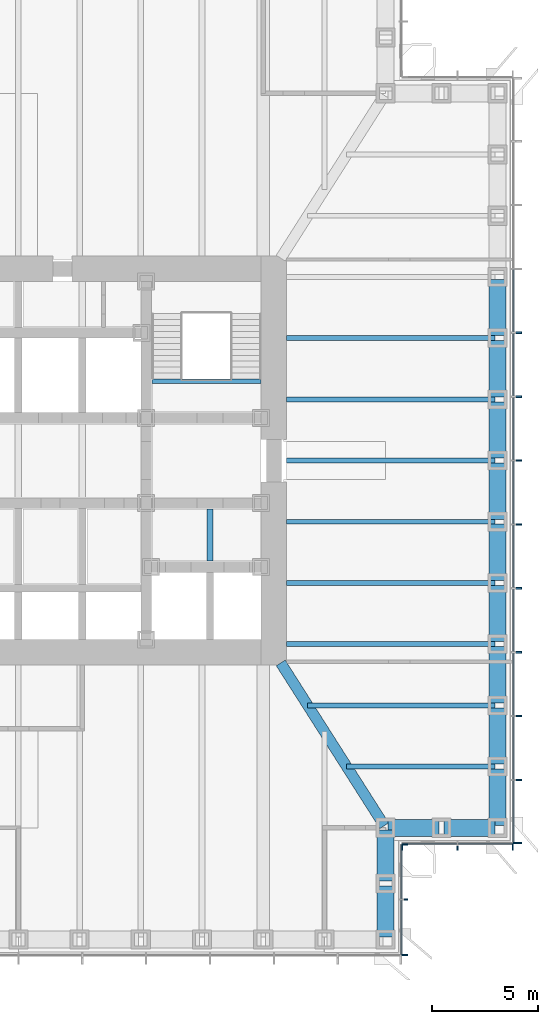
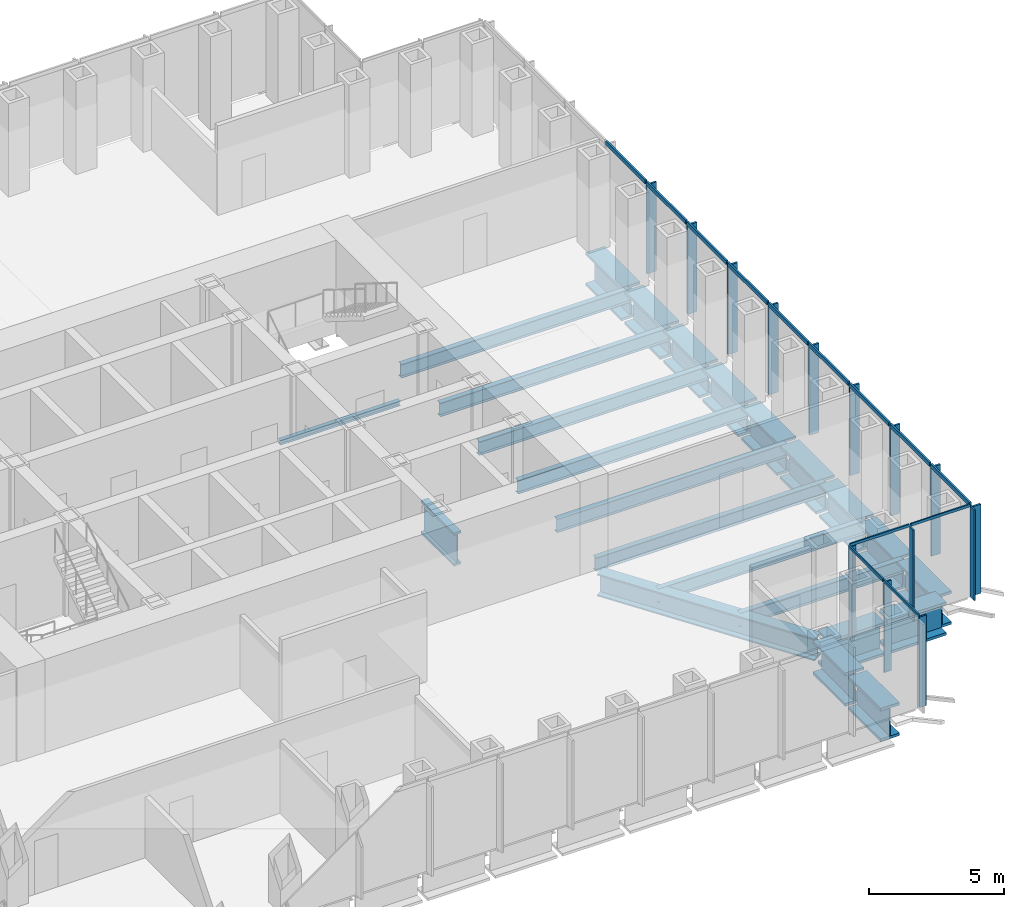
# One storey, part 4 of 17: 28 members, 24 beams, 3 elements without a shape of their own.
"""IFC4 building model written with IfcOpenShell, lengths in metres."""

import ifcopenshell
import ifcopenshell.guid

model = None  # the IFC model being written
_history = None  # IfcOwnerHistory: only IFC2X3 demands one
_inside = {}  # id of a spatial element -> (the spatial element, [elements in it])
_under = {}  # id of a project, library or spatial element -> (it, [spatial elements below it])
_declared = {}  # id of a project -> (the project, [libraries it declares])
_typed = {}  # id of a type object -> (the type object, [elements of that type])
_made_of = {}  # id of a material, layer set ... -> (it, [elements and type objects made of it])


def new_model(schema):
    """Start an empty IFC model of exactly this schema.

    Asked for "IFC4X3", IfcOpenShell would pick the latest addendum, in which some entities
    have other attributes; the version numbers below select the first issue.
    IFC2X3 requires an IfcOwnerHistory on every rooted entity: one is made here for all.
    """
    global model, _history
    if schema == "IFC4X3":
        model = ifcopenshell.file(schema_version=(4, 3, 0, 0))
    else:
        model = ifcopenshell.file(schema=schema)
    _inside.clear()
    _under.clear()
    _declared.clear()
    _typed.clear()
    _made_of.clear()
    _history = None
    if model.schema == "IFC2X3":
        org = make("IfcOrganization", Name="unknown")
        user = make(
            "IfcPersonAndOrganization",
            ThePerson=make("IfcPerson", FamilyName="unknown"),
            TheOrganization=org,
        )
        app = make(
            "IfcApplication",
            ApplicationDeveloper=org,
            Version="unknown",
            ApplicationFullName="unknown",
            ApplicationIdentifier="unknown",
        )
        _history = make(
            "IfcOwnerHistory",
            OwningUser=user,
            OwningApplication=app,
            ChangeAction="ADDED",
            CreationDate=0,
        )
    return model


def make(cls, **values):
    """One entity of the class cls with the attributes given. An attribute that is None is left unset."""
    return model.create_entity(
        cls, **{name: value for name, value in values.items() if value is not None}
    )


def rooted(cls, **values):
    """An entity with a GlobalId (a new one), such as an element, a storey or a relation."""
    return make(cls, GlobalId=ifcopenshell.guid.new(), OwnerHistory=_history, **values)


def si_unit(unit_type, name, prefix=None):
    """IfcSIUnit, for example si_unit("LENGTHUNIT", "METRE", prefix="MILLI")."""
    return make("IfcSIUnit", UnitType=unit_type, Prefix=prefix, Name=name)


def assignment(units):
    """IfcUnitAssignment: the units of a project."""
    return None if units is None else make("IfcUnitAssignment", Units=units)


def point(xyz):
    """IfcCartesianPoint."""
    return None if xyz is None else make("IfcCartesianPoint", Coordinates=xyz)


def direction(xyz):
    """IfcDirection."""
    return None if xyz is None else make("IfcDirection", DirectionRatios=xyz)


def frame(location, z_axis=None, x_axis=None):
    """IfcAxis2Placement3D, a coordinate frame: its origin and axes. An axis left out is left unset."""
    return make(
        "IfcAxis2Placement3D",
        Location=point(location),
        Axis=direction(z_axis),
        RefDirection=direction(x_axis),
    )


def frame_2d(location, x_axis=None):
    """IfcAxis2Placement2D, a coordinate frame in the plane: its origin and x axis."""
    return make(
        "IfcAxis2Placement2D", Location=point(location), RefDirection=direction(x_axis)
    )


def origin():
    """The frame at (0, 0, 0) with its axes left unset."""
    return frame((0.0, 0.0, 0.0))


def origin_2d():
    """The frame at (0, 0) in the plane with its x axis left unset."""
    return frame_2d((0.0, 0.0))


def place(relative_to, where):
    """IfcLocalPlacement: puts the frame where relative to a parent placement (None: the world)."""
    return make(
        "IfcLocalPlacement", PlacementRelTo=relative_to, RelativePlacement=where
    )


def context(
    kind, dimensions, precision=None, world=None, true_north=None, identifier=None
):
    """IfcGeometricRepresentationContext, for example the 3D "Model" context."""
    return make(
        "IfcGeometricRepresentationContext",
        ContextIdentifier=identifier,
        ContextType=kind,
        CoordinateSpaceDimension=dimensions,
        Precision=precision,
        WorldCoordinateSystem=world,
        TrueNorth=true_north,
    )


def subcontext(parent, identifier, kind, view, scale=None):
    """IfcGeometricRepresentationSubContext, for example "Body" below "Model"."""
    return make(
        "IfcGeometricRepresentationSubContext",
        ContextIdentifier=identifier,
        ContextType=kind,
        ParentContext=parent,
        TargetScale=scale,
        TargetView=view,
    )


def project(units=None, contexts=None):
    """IfcProject with its units and contexts."""
    return rooted(
        "IfcProject",
        Name="project",
        RepresentationContexts=contexts,
        UnitsInContext=assignment(units),
    )


def spatial(cls, under=None, at=None, **own):
    """A site, building, storey or space (cls), placed at a placement, below another one or the project."""
    s = rooted(cls, ObjectPlacement=at, **own)
    if under is not None:
        _under.setdefault(under.id(), (under, []))[1].append(s)
    return s


def profile(cls, at=None, kind="AREA", **sizes):
    """A parametric profile (cls). Its sizes go by their IFC names, for example OverallWidth=200.0."""
    return make(cls, ProfileType=kind, Position=at, **sizes)


def rectangle(**sizes):
    """IfcRectangleProfileDef."""
    return profile("IfcRectangleProfileDef", **sizes)


def i_section(**sizes):
    """IfcIShapeProfileDef."""
    return profile("IfcIShapeProfileDef", **sizes)


def extrude(swept, where, along, depth):
    """IfcExtrudedAreaSolid: the profile swept, set in the frame where, extruded along a direction by depth."""
    return make(
        "IfcExtrudedAreaSolid",
        SweptArea=swept,
        Position=where,
        ExtrudedDirection=direction(along),
        Depth=depth,
    )


def shape(context_of_items, identifier, shape_type, items):
    """IfcShapeRepresentation: the items that make up one representation, for example the "Body"."""
    return make(
        "IfcShapeRepresentation",
        ContextOfItems=context_of_items,
        RepresentationIdentifier=identifier,
        RepresentationType=shape_type,
        Items=items,
    )


def material(Name=None, Category=None):
    """IfcMaterial."""
    return make("IfcMaterial", Name=Name, Category=Category)


def material_profile(
    of_material, cross_section, Name=None, Category=None, Priority=None
):
    """IfcMaterialProfile: a cross section and its material."""
    return make(
        "IfcMaterialProfile",
        Name=Name,
        Material=of_material,
        Profile=cross_section,
        Priority=Priority,
        Category=Category,
    )


def profile_set(profiles, Name=None, composite=None):
    """IfcMaterialProfileSet."""
    return make(
        "IfcMaterialProfileSet",
        Name=Name,
        MaterialProfiles=profiles,
        CompositeProfile=composite,
    )


def made_of(thing, what):
    """Note that an element or type object is made of a material, layer set ...; save() writes the relation."""
    if what is not None:
        _made_of.setdefault(what.id(), (what, []))[1].append(thing)
    return thing


def type_object(cls, material=None, **own):
    """A type object (cls), such as IfcWallType, which elements share."""
    return made_of(rooted(cls, **own), material)


def element(
    cls,
    number,
    at=None,
    inside=None,
    cuts=None,
    type_object=None,
    material=None,
    context=None,
    identifier="Body",
    shape_type=None,
    held_by="IfcProductDefinitionShape",
    body=None,
    shapes=None,
    **own,
):
    """One element of the class cls, such as IfcWall. Its Tag is "e" and its number.

    at: its placement. inside: the storey or other place that contains it. cuts: it is an
    opening in that element (IfcRelVoidsElement). A single representation is given by context,
    identifier, shape_type and body (its items); several are given by shapes. held_by: the class
    of the entity that holds the representations. save() writes the other relations.
    """
    e = rooted(cls, Tag="e%d" % number, ObjectPlacement=at, **own)
    if body is not None:
        shapes = [shape(context, identifier, shape_type, body)]
    if shapes is not None:
        e.Representation = make(held_by, Representations=shapes)
    if inside is not None:
        _inside.setdefault(inside.id(), (inside, []))[1].append(e)
    if cuts is not None:
        rooted(
            "IfcRelVoidsElement", RelatingBuildingElement=cuts, RelatedOpeningElement=e
        )
    if type_object is not None:
        _typed.setdefault(type_object.id(), (type_object, []))[1].append(e)
    return made_of(e, material)


def aggregate(whole, parts):
    """IfcRelAggregates: a whole, such as a stair, and the parts it consists of."""
    return rooted("IfcRelAggregates", RelatingObject=whole, RelatedObjects=parts)


def save(model, path):
    """Write the relations noted so far, then the file.

    IfcRelAggregates (storeys below a building ...), IfcRelContainedInSpatialStructure (elements
    in a storey), IfcRelDefinesByType, IfcRelAssociatesMaterial and IfcRelDeclares: one each for
    every whole, place, type object, material and project.
    """
    for whole, parts in _under.values():
        aggregate(whole, parts)
    for where, things in _inside.values():
        rooted(
            "IfcRelContainedInSpatialStructure",
            RelatedElements=things,
            RelatingStructure=where,
        )
    for kind, things in _typed.values():
        rooted("IfcRelDefinesByType", RelatedObjects=things, RelatingType=kind)
    for what, things in _made_of.values():
        rooted("IfcRelAssociatesMaterial", RelatedObjects=things, RelatingMaterial=what)
    for by, libraries in _declared.values():
        rooted("IfcRelDeclares", RelatingContext=by, RelatedDefinitions=libraries)
    model.write(path)


model = new_model("IFC4")

# Units and contexts
model_context = context("Model", 3, precision=1e-05, world=origin(), true_north=direction((0.0, 1.0)))
body_context = subcontext(model_context, "Body", "Model", "MODEL_VIEW")
ifc_project = project(units=[si_unit("LENGTHUNIT", "METRE"), si_unit("AREAUNIT", "SQUARE_METRE"), si_unit("VOLUMEUNIT", "CUBIC_METRE"), si_unit("PLANEANGLEUNIT", "RADIAN"), si_unit("MASSUNIT", "GRAM", prefix="KILO")], contexts=[model_context])

# Site, building, storey
site_placement = place(None, origin())
site = spatial("IfcSite", under=ifc_project, at=site_placement, CompositionType="ELEMENT")
building_placement = place(site_placement, origin())
building = spatial("IfcBuilding", under=site, at=building_placement, Name="Daluyong Arena Tower", CompositionType="ELEMENT")
storey_placement = place(building_placement, frame((0.0, 0.0, 112.300048828125)))
storey = spatial("IfcBuildingStorey", under=building, at=storey_placement, Name="L24", CompositionType="ELEMENT", Elevation=112.300048828125)

# Curtain wall, members
ifc_material_1 = material(Name="Bronze anodised aluminium and glass", Category="aluminium")
curtain_wall_type_1 = type_object("IfcCurtainWallType", Name="Curtain wall CW2", PredefinedType="USERDEFINED", material=ifc_material_1)
curtain_wall_1_placement = place(storey_placement, origin())
curtain_wall_1 = element("IfcCurtainWall", 1, at=curtain_wall_1_placement, inside=storey, type_object=curtain_wall_type_1, Name="curtain wall L24 E", ObjectType="UNITISED CURTAIN WALL", PredefinedType="USERDEFINED")
ifc_material_2 = material(Name="Bronze anodised aluminium fin", Category="aluminium")
ifc_material_profile_1 = material_profile(ifc_material_2, rectangle(XDim=0.39990234375, YDim=0.080078125, at=origin_2d()))
ifc_profile_set_1 = profile_set([ifc_material_profile_1], Name="Bronze anodised aluminium fin")
member_type_1 = type_object("IfcMemberType", Name="CW2 bronze fin 400x80", PredefinedType="MULLION", material=ifc_profile_set_1)
member_1_placement = place(storey_placement, frame((79.449951171875, 62.0400390625, 0.0), z_axis=(0.0, 0.0, 1.0), x_axis=(-1.0, 0.0, 0.0)))
member_1 = element("IfcMember", 2, at=member_1_placement, type_object=member_type_1, Name="curtain wall L24 E fin 1", PredefinedType="MULLION", context=body_context, shape_type="SweptSolid", body=[
    extrude(rectangle(XDim=0.39990234375, YDim=0.080078125, at=origin_2d()), origin(), (0.0, 0.0, 1.0), 4.02001953125),
])
member_2_placement = place(storey_placement, frame((79.449951171875, 65.0, 0.0), z_axis=(0.0, 0.0, 1.0), x_axis=(-1.0, 0.0, 0.0)))
member_2 = element("IfcMember", 3, at=member_2_placement, type_object=member_type_1, Name="curtain wall L24 E fin 2", PredefinedType="MULLION", context=body_context, shape_type="SweptSolid", body=[
    extrude(rectangle(XDim=0.39990234375, YDim=0.080078125, at=origin_2d()), origin(), (0.0, 0.0, 1.0), 4.02001953125),
])
member_3_placement = place(storey_placement, frame((79.449951171875, 68.0, 0.0), z_axis=(0.0, 0.0, 1.0), x_axis=(-1.0, 0.0, 0.0)))
member_3 = element("IfcMember", 4, at=member_3_placement, type_object=member_type_1, Name="curtain wall L24 E fin 3", PredefinedType="MULLION", context=body_context, shape_type="SweptSolid", body=[
    extrude(rectangle(XDim=0.39990234375, YDim=0.080078125, at=origin_2d()), origin(), (0.0, 0.0, 1.0), 4.02001953125),
])
member_4_placement = place(storey_placement, frame((79.449951171875, 71.0, 0.0), z_axis=(0.0, 0.0, 1.0), x_axis=(-1.0, 0.0, 0.0)))
member_4 = element("IfcMember", 5, at=member_4_placement, type_object=member_type_1, Name="curtain wall L24 E fin 4", PredefinedType="MULLION", context=body_context, shape_type="SweptSolid", body=[
    extrude(rectangle(XDim=0.39990234375, YDim=0.080078125, at=origin_2d()), origin(), (0.0, 0.0, 1.0), 4.02001953125),
])
member_5_placement = place(storey_placement, frame((79.449951171875, 74.0, 0.0), z_axis=(0.0, 0.0, 1.0), x_axis=(-1.0, 0.0, 0.0)))
member_5 = element("IfcMember", 6, at=member_5_placement, type_object=member_type_1, Name="curtain wall L24 E fin 5", PredefinedType="MULLION", context=body_context, shape_type="SweptSolid", body=[
    extrude(rectangle(XDim=0.39990234375, YDim=0.080078125, at=origin_2d()), origin(), (0.0, 0.0, 1.0), 4.02001953125),
])
member_6_placement = place(storey_placement, frame((79.449951171875, 77.0, 0.0), z_axis=(0.0, 0.0, 1.0), x_axis=(-1.0, 0.0, 0.0)))
member_6 = element("IfcMember", 7, at=member_6_placement, type_object=member_type_1, Name="curtain wall L24 E fin 6", PredefinedType="MULLION", context=body_context, shape_type="SweptSolid", body=[
    extrude(rectangle(XDim=0.39990234375, YDim=0.080078125, at=origin_2d()), origin(), (0.0, 0.0, 1.0), 4.02001953125),
])
member_7_placement = place(storey_placement, frame((79.449951171875, 80.0, 0.0), z_axis=(0.0, 0.0, 1.0), x_axis=(-1.0, 0.0, 0.0)))
member_7 = element("IfcMember", 8, at=member_7_placement, type_object=member_type_1, Name="curtain wall L24 E fin 7", PredefinedType="MULLION", context=body_context, shape_type="SweptSolid", body=[
    extrude(rectangle(XDim=0.39990234375, YDim=0.080078125, at=origin_2d()), origin(), (0.0, 0.0, 1.0), 4.02001953125),
])
member_8_placement = place(storey_placement, frame((79.449951171875, 83.0, 0.0), z_axis=(0.0, 0.0, 1.0), x_axis=(-1.0, 0.0, 0.0)))
member_8 = element("IfcMember", 9, at=member_8_placement, type_object=member_type_1, Name="curtain wall L24 E fin 8", PredefinedType="MULLION", context=body_context, shape_type="SweptSolid", body=[
    extrude(rectangle(XDim=0.39990234375, YDim=0.080078125, at=origin_2d()), origin(), (0.0, 0.0, 1.0), 4.02001953125),
])
member_9_placement = place(storey_placement, frame((79.449951171875, 86.0, 0.0), z_axis=(0.0, 0.0, 1.0), x_axis=(-1.0, 0.0, 0.0)))
member_9 = element("IfcMember", 10, at=member_9_placement, type_object=member_type_1, Name="curtain wall L24 E fin 9", PredefinedType="MULLION", context=body_context, shape_type="SweptSolid", body=[
    extrude(rectangle(XDim=0.39990234375, YDim=0.080078125, at=origin_2d()), origin(), (0.0, 0.0, 1.0), 4.02001953125),
])
ifc_material_3 = material(Name="Bronze anodised aluminium", Category="aluminium")
ifc_material_profile_2 = material_profile(ifc_material_3, rectangle(XDim=0.080078125, YDim=0.179931640625, at=origin_2d()))
ifc_profile_set_2 = profile_set([ifc_material_profile_2], Name="Bronze anodised aluminium")
member_type_2 = type_object("IfcMemberType", Name="CW2 stack transom 180x80", PredefinedType="USERDEFINED", material=ifc_profile_set_2)
member_10_placement = place(storey_placement, frame((79.25, 62.080078125, 4.10986328125), z_axis=(0.0, 1.0, 0.0), x_axis=(-1.0, 0.0, 0.0)))
member_10 = element("IfcMember", 11, at=member_10_placement, type_object=member_type_2, Name="curtain wall L24 E transom 1", ObjectType="TRANSOM", PredefinedType="USERDEFINED", context=body_context, shape_type="SweptSolid", body=[
    extrude(rectangle(XDim=0.080078125, YDim=0.179931640625, at=origin_2d()), origin(), (0.0, 0.0, 1.0), 2.8798828125),
])
member_11_placement = place(storey_placement, frame((79.25, 65.0400390625, 4.10986328125), z_axis=(0.0, 1.0, 0.0), x_axis=(-1.0, 0.0, 0.0)))
member_11 = element("IfcMember", 12, at=member_11_placement, type_object=member_type_2, Name="curtain wall L24 E transom 2", ObjectType="TRANSOM", PredefinedType="USERDEFINED", context=body_context, shape_type="SweptSolid", body=[
    extrude(rectangle(XDim=0.080078125, YDim=0.179931640625, at=origin_2d()), origin(), (0.0, 0.0, 1.0), 2.919921875),
])
member_12_placement = place(storey_placement, frame((79.25, 68.0400390625, 4.10986328125), z_axis=(0.0, 1.0, 0.0), x_axis=(-1.0, 0.0, 0.0)))
member_12 = element("IfcMember", 13, at=member_12_placement, type_object=member_type_2, Name="curtain wall L24 E transom 3", ObjectType="TRANSOM", PredefinedType="USERDEFINED", context=body_context, shape_type="SweptSolid", body=[
    extrude(rectangle(XDim=0.080078125, YDim=0.179931640625, at=origin_2d()), origin(), (0.0, 0.0, 1.0), 2.919921875),
])
member_13_placement = place(storey_placement, frame((79.25, 71.0400390625, 4.10986328125), z_axis=(0.0, 1.0, 0.0), x_axis=(-1.0, 0.0, 0.0)))
member_13 = element("IfcMember", 14, at=member_13_placement, type_object=member_type_2, Name="curtain wall L24 E transom 4", ObjectType="TRANSOM", PredefinedType="USERDEFINED", context=body_context, shape_type="SweptSolid", body=[
    extrude(rectangle(XDim=0.080078125, YDim=0.179931640625, at=origin_2d()), origin(), (0.0, 0.0, 1.0), 2.919921875),
])
member_14_placement = place(storey_placement, frame((79.25, 74.0400390625, 4.10986328125), z_axis=(0.0, 1.0, 0.0), x_axis=(-1.0, 0.0, 0.0)))
member_14 = element("IfcMember", 15, at=member_14_placement, type_object=member_type_2, Name="curtain wall L24 E transom 5", ObjectType="TRANSOM", PredefinedType="USERDEFINED", context=body_context, shape_type="SweptSolid", body=[
    extrude(rectangle(XDim=0.080078125, YDim=0.179931640625, at=origin_2d()), origin(), (0.0, 0.0, 1.0), 2.919921875),
])
member_15_placement = place(storey_placement, frame((79.25, 77.0400390625, 4.10986328125), z_axis=(0.0, 1.0, 0.0), x_axis=(-1.0, 0.0, 0.0)))
member_15 = element("IfcMember", 16, at=member_15_placement, type_object=member_type_2, Name="curtain wall L24 E transom 6", ObjectType="TRANSOM", PredefinedType="USERDEFINED", context=body_context, shape_type="SweptSolid", body=[
    extrude(rectangle(XDim=0.080078125, YDim=0.179931640625, at=origin_2d()), origin(), (0.0, 0.0, 1.0), 2.919921875),
])
member_16_placement = place(storey_placement, frame((79.25, 80.0400390625, 4.10986328125), z_axis=(0.0, 1.0, 0.0), x_axis=(-1.0, 0.0, 0.0)))
member_16 = element("IfcMember", 17, at=member_16_placement, type_object=member_type_2, Name="curtain wall L24 E transom 7", ObjectType="TRANSOM", PredefinedType="USERDEFINED", context=body_context, shape_type="SweptSolid", body=[
    extrude(rectangle(XDim=0.080078125, YDim=0.179931640625, at=origin_2d()), origin(), (0.0, 0.0, 1.0), 2.919921875),
])
member_17_placement = place(storey_placement, frame((79.25, 83.0400390625, 4.10986328125), z_axis=(0.0, 1.0, 0.0), x_axis=(-1.0, 0.0, 0.0)))
member_17 = element("IfcMember", 18, at=member_17_placement, type_object=member_type_2, Name="curtain wall L24 E transom 8", ObjectType="TRANSOM", PredefinedType="USERDEFINED", context=body_context, shape_type="SweptSolid", body=[
    extrude(rectangle(XDim=0.080078125, YDim=0.179931640625, at=origin_2d()), origin(), (0.0, 0.0, 1.0), 2.919921875),
])
member_18_placement = place(storey_placement, frame((79.25, 86.0400390625, 4.10986328125), z_axis=(0.0, 1.0, 0.0), x_axis=(-1.0, 0.0, 0.0)))
member_18 = element("IfcMember", 19, at=member_18_placement, type_object=member_type_2, Name="curtain wall L24 E transom 9", ObjectType="TRANSOM", PredefinedType="USERDEFINED", context=body_context, shape_type="SweptSolid", body=[
    extrude(rectangle(XDim=0.080078125, YDim=0.179931640625, at=origin_2d()), origin(), (0.0, 0.0, 1.0), 2.919921875),
])
aggregate(curtain_wall_1, [member_1, member_2, member_3, member_4, member_5, member_6, member_7, member_8, member_9, member_10, member_11, member_12, member_13, member_14, member_15, member_16, member_17, member_18])

ifc_material_4 = material(Name="Bronze anodised aluminium and glass", Category="aluminium")
curtain_wall_type_2 = type_object("IfcCurtainWallType", Name="Curtain wall CW7", PredefinedType="USERDEFINED", material=ifc_material_4)
curtain_wall_2_placement = place(storey_placement, origin())
curtain_wall_2 = element("IfcCurtainWall", 20, at=curtain_wall_2_placement, inside=storey, type_object=curtain_wall_type_2, Name="curtain wall L24 SE-E", ObjectType="UNITISED CURTAIN WALL", PredefinedType="USERDEFINED")
ifc_material_5 = material(Name="Bronze anodised aluminium fin", Category="aluminium")
ifc_material_profile_3 = material_profile(ifc_material_5, rectangle(XDim=0.300048828125, YDim=0.06005859375, at=origin_2d()))
ifc_profile_set_3 = profile_set([ifc_material_profile_3], Name="Bronze anodised aluminium fin")
member_type_3 = type_object("IfcMemberType", Name="CW7 bronze fin 300x60", PredefinedType="MULLION", material=ifc_profile_set_3)
member_19_placement = place(storey_placement, frame((74.14990234375, 56.780029296875, 0.0), z_axis=(0.0, 0.0, 1.0), x_axis=(-1.0, 0.0, 0.0)))
member_19 = element("IfcMember", 21, at=member_19_placement, type_object=member_type_3, Name="curtain wall L24 SE-E fin 1", PredefinedType="MULLION", context=body_context, shape_type="SweptSolid", body=[
    extrude(rectangle(XDim=0.300048828125, YDim=0.06005859375, at=origin_2d()), origin(), (0.0, 0.0, 1.0), 4.079833984375),
])
member_20_placement = place(storey_placement, frame((74.14990234375, 59.375, 0.0), z_axis=(0.0, 0.0, 1.0), x_axis=(-1.0, 0.0, 0.0)))
member_20 = element("IfcMember", 22, at=member_20_placement, type_object=member_type_3, Name="curtain wall L24 SE-E fin 2", PredefinedType="MULLION", context=body_context, shape_type="SweptSolid", body=[
    extrude(rectangle(XDim=0.300048828125, YDim=0.06005859375, at=origin_2d()), origin(), (0.0, 0.0, 1.0), 4.079833984375),
])
member_21_placement = place(storey_placement, frame((74.14990234375, 61.969970703125, 0.0), z_axis=(0.0, 0.0, 1.0), x_axis=(-1.0, 0.0, 0.0)))
member_21 = element("IfcMember", 23, at=member_21_placement, type_object=member_type_3, Name="curtain wall L24 SE-E fin 3", PredefinedType="MULLION", context=body_context, shape_type="SweptSolid", body=[
    extrude(rectangle(XDim=0.300048828125, YDim=0.06005859375, at=origin_2d()), origin(), (0.0, 0.0, 1.0), 4.079833984375),
])

curtain_wall_3_placement = place(storey_placement, origin())
curtain_wall_3 = element("IfcCurtainWall", 24, at=curtain_wall_3_placement, inside=storey, type_object=curtain_wall_type_2, Name="curtain wall L24 SE-S", ObjectType="UNITISED CURTAIN WALL", PredefinedType="USERDEFINED")
member_22_placement = place(storey_placement, frame((74.030029296875, 61.85009765625, 0.0), z_axis=(0.0, 0.0, 1.0), x_axis=(0.0, 1.0, 0.0)))
member_22 = element("IfcMember", 25, at=member_22_placement, type_object=member_type_3, Name="curtain wall L24 SE-S fin 1", PredefinedType="MULLION", context=body_context, shape_type="SweptSolid", body=[
    extrude(rectangle(XDim=0.300048828125, YDim=0.06005859375, at=origin_2d()), origin(), (0.0, 0.0, 1.0), 4.079833984375),
])
member_23_placement = place(storey_placement, frame((76.625, 61.85009765625, 0.0), z_axis=(0.0, 0.0, 1.0), x_axis=(0.0, 1.0, 0.0)))
member_23 = element("IfcMember", 26, at=member_23_placement, type_object=member_type_3, Name="curtain wall L24 SE-S fin 2", PredefinedType="MULLION", context=body_context, shape_type="SweptSolid", body=[
    extrude(rectangle(XDim=0.300048828125, YDim=0.06005859375, at=origin_2d()), origin(), (0.0, 0.0, 1.0), 4.079833984375),
])
member_24_placement = place(storey_placement, frame((79.219970703125, 61.85009765625, 0.0), z_axis=(0.0, 0.0, 1.0), x_axis=(0.0, 1.0, 0.0)))
member_24 = element("IfcMember", 27, at=member_24_placement, type_object=member_type_3, Name="curtain wall L24 SE-S fin 3", PredefinedType="MULLION", context=body_context, shape_type="SweptSolid", body=[
    extrude(rectangle(XDim=0.300048828125, YDim=0.06005859375, at=origin_2d()), origin(), (0.0, 0.0, 1.0), 4.079833984375),
])

# Member
ifc_material_6 = material(Name="Bronze anodised aluminium", Category="aluminium")
ifc_material_profile_4 = material_profile(ifc_material_6, rectangle(XDim=0.06005859375, YDim=0.1201171875, at=origin_2d()))
ifc_profile_set_4 = profile_set([ifc_material_profile_4], Name="Bronze anodised aluminium")
member_type_4 = type_object("IfcMemberType", Name="CW7 stack transom 120x60", PredefinedType="USERDEFINED", material=ifc_profile_set_4)
member_25_placement = place(storey_placement, frame((74.0, 56.81005859375, 4.139892578125), z_axis=(0.0, 1.0, 0.0), x_axis=(-1.0, 0.0, 0.0)))
member_25 = element("IfcMember", 28, at=member_25_placement, type_object=member_type_4, Name="curtain wall L24 SE-E transom 1", ObjectType="TRANSOM", PredefinedType="USERDEFINED", context=body_context, shape_type="SweptSolid", body=[
    extrude(rectangle(XDim=0.06005859375, YDim=0.1201171875, at=origin_2d()), origin(), (0.0, 0.0, 1.0), 2.534912109375),
])

member_26_placement = place(storey_placement, frame((74.0, 59.405029296875, 4.139892578125), z_axis=(0.0, 1.0, 0.0), x_axis=(-1.0, 0.0, 0.0)))
member_26 = element("IfcMember", 29, at=member_26_placement, type_object=member_type_4, Name="curtain wall L24 SE-E transom 2", ObjectType="TRANSOM", PredefinedType="USERDEFINED", context=body_context, shape_type="SweptSolid", body=[
    extrude(rectangle(XDim=0.06005859375, YDim=0.1201171875, at=origin_2d()), origin(), (0.0, 0.0, 1.0), 2.534912109375),
])

aggregate(curtain_wall_2, [member_19, member_20, member_21, member_25, member_26])

member_27_placement = place(storey_placement, frame((74.06005859375, 62.0, 4.139892578125), z_axis=(1.0, 0.0, 0.0), x_axis=(0.0, 1.0, 0.0)))
member_27 = element("IfcMember", 30, at=member_27_placement, type_object=member_type_4, Name="curtain wall L24 SE-S transom 1", ObjectType="TRANSOM", PredefinedType="USERDEFINED", context=body_context, shape_type="SweptSolid", body=[
    extrude(rectangle(XDim=0.06005859375, YDim=0.1201171875, at=origin_2d()), origin(), (0.0, 0.0, 1.0), 2.534912109375),
])

member_28_placement = place(storey_placement, frame((76.655029296875, 62.0, 4.139892578125), z_axis=(1.0, 0.0, 0.0), x_axis=(0.0, 1.0, 0.0)))
member_28 = element("IfcMember", 31, at=member_28_placement, type_object=member_type_4, Name="curtain wall L24 SE-S transom 2", ObjectType="TRANSOM", PredefinedType="USERDEFINED", context=body_context, shape_type="SweptSolid", body=[
    extrude(rectangle(XDim=0.06005859375, YDim=0.1201171875, at=origin_2d()), origin(), (0.0, 0.0, 1.0), 2.534912109375),
])

aggregate(curtain_wall_3, [member_22, member_23, member_24, member_27, member_28])

# Beams
ifc_material_7 = material(Name="Steel ASTM A572 Grade 50", Category="steel")
ifc_material_profile_5 = material_profile(ifc_material_7, i_section(OverallWidth=0.5, OverallDepth=1.0, WebThickness=0.03, FlangeThickness=0.06, at=origin_2d()))
ifc_profile_set_5 = profile_set([ifc_material_profile_5], Name="Steel ASTM A572 Grade 50")
beam_type_1 = type_object("IfcBeamType", Name="Corner girder TB1000X500", PredefinedType="BEAM", material=ifc_profile_set_5)
beam_1_placement = place(storey_placement, frame((73.188232421875, 62.846923828125, -0.66015625), z_axis=(-0.536872006459, 0.843663705916, 0.0), x_axis=(-0.843663705916, -0.536872006459, 0.0)))
element("IfcBeam", 32, at=beam_1_placement, inside=storey, type_object=beam_type_1, Name="corner girder DG2", PredefinedType="BEAM", context=body_context, shape_type="SweptSolid", body=[
    extrude(i_section(OverallWidth=0.5, OverallDepth=1.0, WebThickness=0.03, FlangeThickness=0.06, at=origin_2d()), origin(), (0.0, 0.0, 1.0), 9.06396484375),
])
ifc_material_8 = material(Name="Steel ASTM A992 Grade 50", Category="steel")
ifc_material_profile_6 = material_profile(ifc_material_8, i_section(OverallWidth=0.22900390625, OverallDepth=0.612060546875, WebThickness=0.011962890625, FlangeThickness=0.01953125, at=origin_2d()))
ifc_profile_set_6 = profile_set([ifc_material_profile_6], Name="Steel ASTM A992 Grade 50")
beam_type_2 = type_object("IfcBeamType", Name="Floor beam W24X84", PredefinedType="BEAM", material=ifc_profile_set_6)
beam_2_placement = place(storey_placement, frame((78.385009765625, 65.625, -0.466064453125), z_axis=(-1.0, 0.0, 0.0), x_axis=(0.0, -1.0, 0.0)))
element("IfcBeam", 33, at=beam_2_placement, inside=storey, type_object=beam_type_2, Name="floor beam FB3", PredefinedType="BEAM", context=body_context, shape_type="SweptSolid", body=[
    extrude(i_section(OverallWidth=0.22900390625, OverallDepth=0.612060546875, WebThickness=0.011962890625, FlangeThickness=0.01953125, at=origin_2d()), origin(), (0.0, 0.0, 1.0), 6.964599609375),
])
beam_3_placement = place(storey_placement, frame((78.385009765625, 68.5, -0.466064453125), z_axis=(-1.0, 0.0, 0.0), x_axis=(0.0, -1.0, 0.0)))
element("IfcBeam", 34, at=beam_3_placement, inside=storey, type_object=beam_type_2, Name="floor beam FB3", PredefinedType="BEAM", context=body_context, shape_type="SweptSolid", body=[
    extrude(i_section(OverallWidth=0.22900390625, OverallDepth=0.612060546875, WebThickness=0.011962890625, FlangeThickness=0.01953125, at=origin_2d()), origin(), (0.0, 0.0, 1.0), 8.794189453125),
])
for number, where, z_axis, x_axis, name in (
    (35, (78.385009765625, 71.375, -0.466064453125), (-1.0, 0.0, 0.0), (0.0, -1.0, 0.0), "floor beam FB3"),
    (36, (78.385009765625, 74.25, -0.466064453125), (-1.0, 0.0, 0.0), (0.0, -1.0, 0.0), "floor beam FB3"),
    (37, (78.385009765625, 77.125, -0.466064453125), (-1.0, 0.0, 0.0), (0.0, -1.0, 0.0), "floor beam FB3"),
    (38, (78.385009765625, 80.0, -0.466064453125), (-1.0, 0.0, 0.0), (0.0, -1.0, 0.0), "floor beam FB3"),
    (39, (78.385009765625, 82.875, -0.466064453125), (-1.0, 0.0, 0.0), (0.0, -1.0, 0.0), "floor beam FB3"),
    (40, (78.385009765625, 85.75, -0.466064453125), (-1.0, 0.0, 0.0), (0.0, -1.0, 0.0), "floor beam FB3"),
):
    element("IfcBeam", number, at=place(storey_placement, frame(where, z_axis=z_axis, x_axis=x_axis)), inside=storey, type_object=beam_type_2, Name=name, PredefinedType="BEAM", context=body_context, shape_type="SweptSolid", body=[
        extrude(i_section(OverallWidth=0.22900390625, OverallDepth=0.612060546875, WebThickness=0.011962890625, FlangeThickness=0.01953125, at=origin_2d()), origin(), (0.0, 0.0, 1.0), 9.784912109375),
    ])
ifc_material_9 = material(Name="Steel ASTM A572 Grade 50", Category="steel")
ifc_material_profile_7 = material_profile(ifc_material_9, i_section(OverallWidth=0.300048828125, OverallDepth=1.5, WebThickness=0.04, FlangeThickness=0.1, at=origin_2d()))
ifc_profile_set_7 = profile_set([ifc_material_profile_7], Name="Steel ASTM A572 Grade 50")
beam_type_3 = type_object("IfcBeamType", Name="Lift divider beam PG1500X300", PredefinedType="BEAM", material=ifc_profile_set_7)
beam_4_placement = place(storey_placement, frame((65.0, 75.27490234375, -0.91015625), z_axis=(0.0, 1.0, 0.0), x_axis=(-1.0, 0.0, 0.0)))
element("IfcBeam", 41, at=beam_4_placement, inside=storey, type_object=beam_type_3, Name="lift divider beam DB2", PredefinedType="BEAM", context=body_context, shape_type="SweptSolid", body=[
    extrude(i_section(OverallWidth=0.300048828125, OverallDepth=1.5, WebThickness=0.04, FlangeThickness=0.1, at=origin_2d()), origin(), (0.0, 0.0, 1.0), 2.4501953125),
])
ifc_material_10 = material(Name="Steel ASTM A588 Grade 50", Category="steel")
ifc_material_profile_8 = material_profile(ifc_material_10, i_section(OverallWidth=0.800048828125, OverallDepth=1.5, WebThickness=0.05, FlangeThickness=0.12, at=origin_2d()))
ifc_profile_set_8 = profile_set([ifc_material_profile_8], Name="Steel ASTM A588 Grade 50")
beam_type_4 = type_object("IfcBeamType", Name="Spandrel Z2 PG1500X800", PredefinedType="SPANDREL", material=ifc_profile_set_8)
for number, where, z_axis, x_axis, name in (
    (42, (73.25, 57.614990234375, -0.91015625), (0.0, 1.0, 0.0), (-1.0, 0.0, 0.0), "spandrel z2 SB5"),
    (43, (73.25, 60.239990234375, -0.91015625), (0.0, 1.0, 0.0), (-1.0, 0.0, 0.0), "spandrel z2 SB5"),
    (44, (73.364990234375, 62.75, -0.91015625), (1.0, 0.0, 0.0), (0.0, 1.0, 0.0), "spandrel z2 SB5"),
    (45, (75.989990234375, 62.75, -0.91015625), (1.0, 0.0, 0.0), (0.0, 1.0, 0.0), "spandrel z2 SB5"),
):
    element("IfcBeam", number, at=place(storey_placement, frame(where, z_axis=z_axis, x_axis=x_axis)), inside=storey, type_object=beam_type_4, Name=name, PredefinedType="SPANDREL", context=body_context, shape_type="SweptSolid", body=[
        extrude(i_section(OverallWidth=0.800048828125, OverallDepth=1.5, WebThickness=0.05, FlangeThickness=0.12, at=origin_2d()), origin(), (0.0, 0.0, 1.0), 2.39501953125),
    ])
for number, where, z_axis, x_axis, name in (
    (46, (78.5, 62.864990234375, -0.91015625), (0.0, 1.0, 0.0), (-1.0, 0.0, 0.0), "spandrel z2 SB5"),
    (47, (78.5, 65.739990234375, -0.91015625), (0.0, 1.0, 0.0), (-1.0, 0.0, 0.0), "spandrel z2 SB5"),
    (48, (78.5, 68.614990234375, -0.91015625), (0.0, 1.0, 0.0), (-1.0, 0.0, 0.0), "spandrel z2 SB5"),
    (49, (78.5, 71.489990234375, -0.91015625), (0.0, 1.0, 0.0), (-1.0, 0.0, 0.0), "spandrel z2 SB5"),
    (50, (78.5, 74.364990234375, -0.91015625), (0.0, 1.0, 0.0), (-1.0, 0.0, 0.0), "spandrel z2 SB5"),
    (51, (78.5, 77.239990234375, -0.91015625), (0.0, 1.0, 0.0), (-1.0, 0.0, 0.0), "spandrel z2 SB5"),
    (52, (78.5, 80.114990234375, -0.91015625), (0.0, 1.0, 0.0), (-1.0, 0.0, 0.0), "spandrel z2 SB5"),
    (53, (78.5, 82.989990234375, -0.91015625), (0.0, 1.0, 0.0), (-1.0, 0.0, 0.0), "spandrel z2 SB5"),
    (54, (78.5, 85.864990234375, -0.91015625), (0.0, 1.0, 0.0), (-1.0, 0.0, 0.0), "spandrel z2 SB5"),
):
    element("IfcBeam", number, at=place(storey_placement, frame(where, z_axis=z_axis, x_axis=x_axis)), inside=storey, type_object=beam_type_4, Name=name, PredefinedType="SPANDREL", context=body_context, shape_type="SweptSolid", body=[
        extrude(i_section(OverallWidth=0.800048828125, OverallDepth=1.5, WebThickness=0.05, FlangeThickness=0.12, at=origin_2d()), origin(), (0.0, 0.0, 1.0), 2.64501953125),
    ])
ifc_material_11 = material(Name="Steel ASTM A992 Grade 50", Category="steel")
ifc_material_profile_9 = material_profile(ifc_material_11, i_section(OverallWidth=0.203125, OverallDepth=0.203125, WebThickness=0.00732421875, FlangeThickness=0.010986328125, at=origin_2d()))
ifc_profile_set_9 = profile_set([ifc_material_profile_9], Name="Steel ASTM A992 Grade 50")
beam_type_5 = type_object("IfcBeamType", Name="Stair landing beam W8X31", PredefinedType="BEAM", material=ifc_profile_set_9)
beam_5_placement = place(storey_placement, frame((62.27490234375, 83.723388671875, -0.26171875), z_axis=(1.0, 0.0, 0.0), x_axis=(0.0, 1.0, 0.0)))
element("IfcBeam", 55, at=beam_5_placement, inside=storey, type_object=beam_type_5, Name="exit stair B landing beam", PredefinedType="BEAM", context=body_context, shape_type="SweptSolid", body=[
    extrude(i_section(OverallWidth=0.203125, OverallDepth=0.203125, WebThickness=0.00732421875, FlangeThickness=0.010986328125, at=origin_2d()), origin(), (0.0, 0.0, 1.0), 5.125),
])

save(model, "model.ifc")
